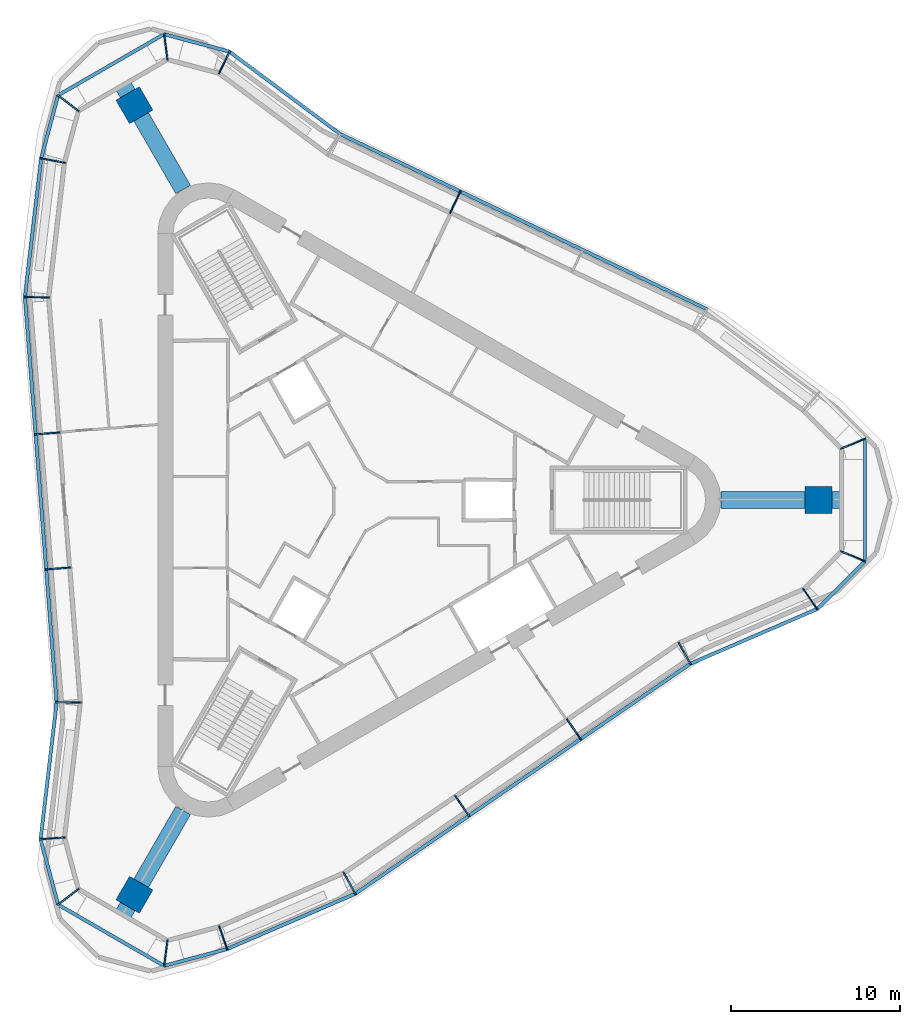
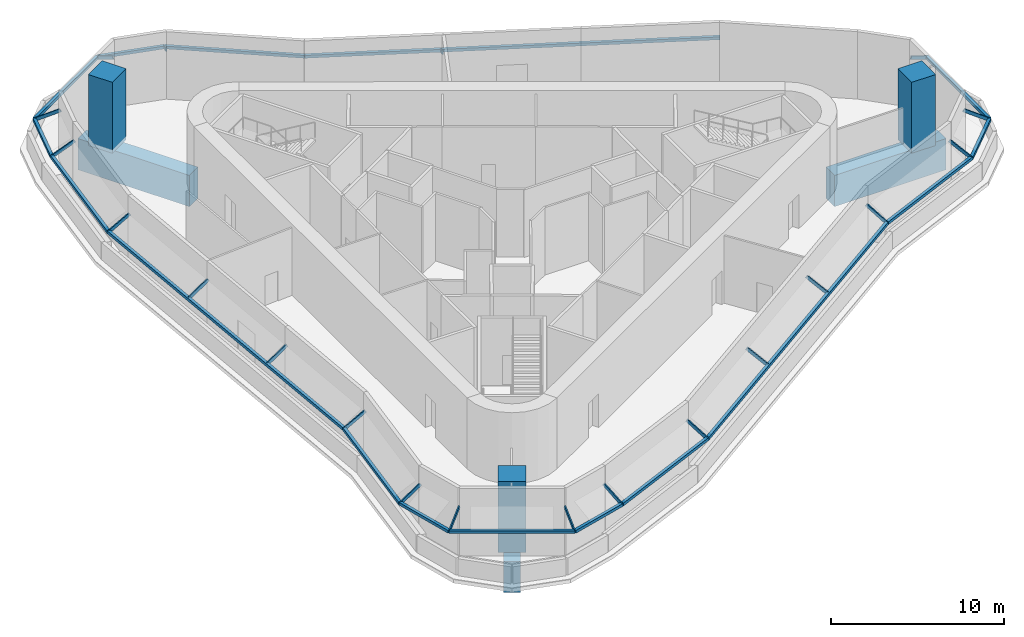
# One storey, part 1 of 8: 36 members, 3 beams, 3 columns, 1 element without a shape of its own.
"""IFC4 building model written with IfcOpenShell, lengths in metres."""

from ifc_helpers import new_model, si_unit, direction, frame, origin, origin_2d, place, context, subcontext, project, spatial, rectangle, extrude, material, material_profile, profile_set, type_object, element, aggregate, save


model = new_model("IFC4")

# Units and contexts
model_context = context("Model", 3, precision=1e-05, world=origin(), true_north=direction((0.0, 1.0)))
body_context = subcontext(model_context, "Body", "Model", "MODEL_VIEW")
ifc_project = project(units=[si_unit("LENGTHUNIT", "METRE"), si_unit("AREAUNIT", "SQUARE_METRE"), si_unit("VOLUMEUNIT", "CUBIC_METRE"), si_unit("PLANEANGLEUNIT", "RADIAN"), si_unit("MASSUNIT", "GRAM", prefix="KILO")], contexts=[model_context])

# Site, building, storey
site_placement = place(None, origin())
site = spatial("IfcSite", under=ifc_project, at=site_placement, CompositionType="ELEMENT")
building_placement = place(site_placement, origin())
building = spatial("IfcBuilding", under=site, at=building_placement, Name="Tanit Gate Tower", CompositionType="ELEMENT")
storey_placement = place(building_placement, frame((0.0, 0.0, 415.300048828125)))
storey = spatial("IfcBuildingStorey", under=building, at=storey_placement, Name="L94", CompositionType="ELEMENT", Elevation=415.300048828125)

# Columns
ifc_material_1 = material(Name="Concrete C40/50", Category="concrete")
ifc_material_profile_1 = material_profile(ifc_material_1, rectangle(XDim=1.60009765625, YDim=1.60009765625, at=origin_2d()), Name="RC 1600x1600")
ifc_profile_set_1 = profile_set([ifc_material_profile_1], Name="Concrete C40/50")
column_type = type_object("IfcColumnType", Name="MEGA COLUMN 1600x1600 C40/50", PredefinedType="COLUMN", material=ifc_profile_set_1)
for number, where, z_axis, x_axis, name in (
    (1, (26.961181640625, 0.0, -0.25), (0.0, 0.0, 1.0), (1.0, 0.0, 0.0), "MEGA COLUMN"),
    (2, (-13.48046875, 23.34912109375, -0.25), (0.0, 0.0, 1.0), (-0.5, 0.866025403784, 0.0), "MEGA COLUMN"),
    (3, (-13.48046875, -23.34912109375, -0.25), (0.0, 0.0, 1.0), (-0.5, -0.866025403784, 0.0), "MEGA COLUMN"),
):
    element("IfcColumn", number, at=place(storey_placement, frame(where, z_axis=z_axis, x_axis=x_axis)), inside=storey, type_object=column_type, Name=name, PredefinedType="COLUMN", context=body_context, shape_type="SweptSolid", body=[
        extrude(rectangle(XDim=1.60009765625, YDim=1.60009765625, at=origin_2d()), origin(), (0.0, 0.0, 1.0), 5.0),
    ])

# Curtain wall, members
ifc_material_2 = material(Name="Aluminium bronze anodised and glass", Category="aluminium")
curtain_wall_type = type_object("IfcCurtainWallType", Name="Curtain wall crown roof", PredefinedType="NOTDEFINED", material=ifc_material_2)
curtain_wall_placement = place(storey_placement, origin())
curtain_wall = element("IfcCurtainWall", 4, at=curtain_wall_placement, inside=storey, type_object=curtain_wall_type, Name="Glass roof L94", PredefinedType="NOTDEFINED")
ifc_material_3 = material(Name="Aluminium bronze anodised", Category="aluminium")
ifc_material_profile_2 = material_profile(ifc_material_3, rectangle(XDim=0.080078125, YDim=0.219970703125, at=origin_2d()), Name="80x220 bronze rafter")
ifc_profile_set_2 = profile_set([ifc_material_profile_2], Name="Aluminium bronze anodised")
member_type_1 = type_object("IfcMemberType", Name="Mullion 80x220 crown roof", PredefinedType="MULLION", material=ifc_profile_set_2)
member_1_placement = place(storey_placement, frame((5.190673828125, 16.9814453125, 3.408203125), z_axis=(0.373331354962, 0.781398232433, -0.500040500113), x_axis=(-0.902305323306, 0.431097556864, 0.0)))
member_1 = element("IfcMember", 5, at=member_1_placement, type_object=member_type_1, Name="Roof rafter L94 NE2.3", PredefinedType="MULLION", context=body_context, shape_type="SweptSolid", body=[
    extrude(rectangle(XDim=0.080078125, YDim=0.219970703125, at=origin_2d()), origin(), (0.0, 0.0, 1.0), 1.616455078125),
])
member_2_placement = place(storey_placement, frame((-8.476806640625, 25.23095703125, 3.408203125), z_axis=(0.379072171607, 0.782879398436, -0.493360047245), x_axis=(-0.900042222367, 0.435802705311, 0.0)))
member_2 = element("IfcMember", 6, at=member_2_placement, type_object=member_type_1, Name="Roof rafter L94 NE3.2", PredefinedType="MULLION", context=body_context, shape_type="SweptSolid", body=[
    extrude(rectangle(XDim=0.080078125, YDim=0.219970703125, at=origin_2d()), origin(), (0.0, 0.0, 1.0), 1.638427734375),
])
member_3_placement = place(storey_placement, frame((-11.527099609375, 26.048095703125, 3.408203125), z_axis=(-0.115139393056, 0.874775092427, -0.470650037541), x_axis=(-0.991448811127, -0.13049618736, 0.0)))
member_3 = element("IfcMember", 7, at=member_3_placement, type_object=member_type_1, Name="Roof rafter L94 NW.arc1.2", PredefinedType="MULLION", context=body_context, shape_type="SweptSolid", body=[
    extrude(rectangle(XDim=0.080078125, YDim=0.219970703125, at=origin_2d()), origin(), (0.0, 0.0, 1.0), 1.717529296875),
])
member_4_placement = place(storey_placement, frame((-16.794921875, 23.0068359375, 3.408203125), z_axis=(-0.69999571717, 0.537080385757, -0.470691677406), x_axis=(-0.608729170029, -0.793378092435, 0.0)))
member_4 = element("IfcMember", 8, at=member_4_placement, type_object=member_type_1, Name="Roof rafter L94 NW.arc2.2", PredefinedType="MULLION", context=body_context, shape_type="SweptSolid", body=[
    extrude(rectangle(XDim=0.080078125, YDim=0.219970703125, at=origin_2d()), origin(), (0.0, 0.0, 1.0), 1.71728515625),
])
member_5_placement = place(storey_placement, frame((-17.61572265625, 19.94287109375, 3.408203125), z_axis=(-0.851124919905, 0.162930058158, -0.499039243812), x_axis=(-0.188015155556, -0.98216612713, 0.0)))
member_5 = element("IfcMember", 9, at=member_5_placement, type_object=member_type_1, Name="Roof rafter L94 NW.arc3.2", PredefinedType="MULLION", context=body_context, shape_type="SweptSolid", body=[
    extrude(rectangle(XDim=0.080078125, YDim=0.219970703125, at=origin_2d()), origin(), (0.0, 0.0, 1.0), 1.619873046875),
])
member_6_placement = place(storey_placement, frame((-18.548828125, 11.97705078125, 3.408203125), z_axis=(-0.866850363127, 0.016704928873, -0.498288463943), x_axis=(-0.019267256073, -0.999814369192, 0.0)))
member_6 = element("IfcMember", 10, at=member_6_placement, type_object=member_type_1, Name="Roof rafter L94 W1.2", PredefinedType="MULLION", context=body_context, shape_type="SweptSolid", body=[
    extrude(rectangle(XDim=0.080078125, YDim=0.219970703125, at=origin_2d()), origin(), (0.0, 0.0, 1.0), 1.622314453125),
])
member_7_placement = place(storey_placement, frame((-17.92529296875, 3.99072265625, 3.408203125), z_axis=(-0.863385119801, -0.067355214873, -0.500029409071), x_axis=(0.077776627829, -0.996970810086, 0.0)))
member_7 = element("IfcMember", 11, at=member_7_placement, type_object=member_type_1, Name="Roof rafter L94 W2.2", PredefinedType="MULLION", context=body_context, shape_type="SweptSolid", body=[
    extrude(rectangle(XDim=0.080078125, YDim=0.219970703125, at=origin_2d()), origin(), (0.0, 0.0, 1.0), 1.61669921875),
])
member_8_placement = place(storey_placement, frame((-17.3017578125, -3.995361328125, 3.408203125), z_axis=(-0.863376327711, -0.0675055481, -0.500024317133), x_axis=(0.077949956455, -0.996957273051, 0.0)))
member_8 = element("IfcMember", 12, at=member_8_placement, type_object=member_type_1, Name="Roof rafter L94 W2.3", PredefinedType="MULLION", context=body_context, shape_type="SweptSolid", body=[
    extrude(rectangle(XDim=0.080078125, YDim=0.219970703125, at=origin_2d()), origin(), (0.0, 0.0, 1.0), 1.61669921875),
])
member_9_placement = place(storey_placement, frame((-16.67822265625, -11.981689453125, 3.408203125), z_axis=(-0.866848174051, 0.016855381162, -0.498287205605), x_axis=(-0.019440769646, -0.999811010379, 0.0)))
member_9 = element("IfcMember", 13, at=member_9_placement, type_object=member_type_1, Name="Roof rafter L94 W2.4", PredefinedType="MULLION", context=body_context, shape_type="SweptSolid", body=[
    extrude(rectangle(XDim=0.080078125, YDim=0.219970703125, at=origin_2d()), origin(), (0.0, 0.0, 1.0), 1.622314453125),
])
member_10_placement = place(storey_placement, frame((-17.612060546875, -19.95654296875, 3.408203125), z_axis=(-0.867561420463, -0.063171224846, -0.493301711), x_axis=(0.072622433472, -0.997359504971, 0.0)))
member_10 = element("IfcMember", 14, at=member_10_placement, type_object=member_type_1, Name="Roof rafter L94 W3.2", PredefinedType="MULLION", context=body_context, shape_type="SweptSolid", body=[
    extrude(rectangle(XDim=0.080078125, YDim=0.219970703125, at=origin_2d()), origin(), (0.0, 0.0, 1.0), 1.638671875),
])
member_11_placement = place(storey_placement, frame((-16.794921875, -23.0068359375, 3.408203125), z_axis=(-0.69999571717, -0.537080385757, -0.470691677406), x_axis=(0.608729170029, -0.793378092435, 0.0)))
member_11 = element("IfcMember", 15, at=member_11_placement, type_object=member_type_1, Name="Roof rafter L94 SW.arc1.2", PredefinedType="MULLION", context=body_context, shape_type="SweptSolid", body=[
    extrude(rectangle(XDim=0.080078125, YDim=0.219970703125, at=origin_2d()), origin(), (0.0, 0.0, 1.0), 1.71728515625),
])
member_12_placement = place(storey_placement, frame((-11.527099609375, -26.048095703125, 3.408203125), z_axis=(-0.115139393056, -0.874775092427, -0.470650037541), x_axis=(0.991448811127, -0.13049618736, 0.0)))
member_12 = element("IfcMember", 16, at=member_12_placement, type_object=member_type_1, Name="Roof rafter L94 SW.arc2.2", PredefinedType="MULLION", context=body_context, shape_type="SweptSolid", body=[
    extrude(rectangle(XDim=0.080078125, YDim=0.219970703125, at=origin_2d()), origin(), (0.0, 0.0, 1.0), 1.717529296875),
])
member_13_placement = place(storey_placement, frame((-8.463134765625, -25.227294921875, 3.408203125), z_axis=(0.284413741675, -0.8185750032, -0.499042871588), x_axis=(0.94460702546, 0.328203545764, 0.0)))
member_13 = element("IfcMember", 17, at=member_13_placement, type_object=member_type_1, Name="Roof rafter L94 SW.arc3.2", PredefinedType="MULLION", context=body_context, shape_type="SweptSolid", body=[
    extrude(rectangle(XDim=0.080078125, YDim=0.219970703125, at=origin_2d()), origin(), (0.0, 0.0, 1.0), 1.619873046875),
])
member_14_placement = place(storey_placement, frame((-1.097900390625, -22.05224609375, 3.408203125), z_axis=(0.418840916903, -0.759120943177, -0.498304806276), x_axis=(0.875570088522, 0.483091109508, 0.0)))
member_14 = element("IfcMember", 18, at=member_14_placement, type_object=member_type_1, Name="Roof rafter L94 SE1.2", PredefinedType="MULLION", context=body_context, shape_type="SweptSolid", body=[
    extrude(rectangle(XDim=0.080078125, YDim=0.219970703125, at=origin_2d()), origin(), (0.0, 0.0, 1.0), 1.622314453125),
])
member_15_placement = place(storey_placement, frame((5.506591796875, -17.51904296875, 3.408203125), z_axis=(0.490056434696, -0.714017511015, -0.500023684216), x_axis=(0.824489423049, 0.56587736417, 0.0)))
member_15 = element("IfcMember", 19, at=member_15_placement, type_object=member_type_1, Name="Roof rafter L94 SE2.2", PredefinedType="MULLION", context=body_context, shape_type="SweptSolid", body=[
    extrude(rectangle(XDim=0.080078125, YDim=0.219970703125, at=origin_2d()), origin(), (0.0, 0.0, 1.0), 1.61669921875),
])
member_16_placement = place(storey_placement, frame((12.111083984375, -12.986083984375, 3.408203125), z_axis=(0.49010928052, -0.713943472732, -0.500077604869), x_axis=(0.824433570123, 0.56595873388, 0.0)))
member_16 = element("IfcMember", 20, at=member_16_placement, type_object=member_type_1, Name="Roof rafter L94 SE2.3", PredefinedType="MULLION", context=body_context, shape_type="SweptSolid", body=[
    extrude(rectangle(XDim=0.080078125, YDim=0.219970703125, at=origin_2d()), origin(), (0.0, 0.0, 1.0), 1.616455078125),
])
member_17_placement = place(storey_placement, frame((18.715576171875, -8.452880859375, 3.408203125), z_axis=(0.418840916903, -0.759120943177, -0.498304806276), x_axis=(0.875570088522, 0.483091109508, 0.0)))
member_17 = element("IfcMember", 21, at=member_17_placement, type_object=member_type_1, Name="Roof rafter L94 SE2.4", PredefinedType="MULLION", context=body_context, shape_type="SweptSolid", body=[
    extrude(rectangle(XDim=0.080078125, YDim=0.219970703125, at=origin_2d()), origin(), (0.0, 0.0, 1.0), 1.622314453125),
])
member_18_placement = place(storey_placement, frame((26.089111328125, -5.274169921875, 3.408203125), z_axis=(0.488402754437, -0.719790636573, -0.49331956069), x_axis=(0.827489985755, 0.561480474706, 0.0)))
member_18 = element("IfcMember", 22, at=member_18_placement, type_object=member_type_1, Name="Roof rafter L94 SE3.2", PredefinedType="MULLION", context=body_context, shape_type="SweptSolid", body=[
    extrude(rectangle(XDim=0.080078125, YDim=0.219970703125, at=origin_2d()), origin(), (0.0, 0.0, 1.0), 1.638671875),
])
member_19_placement = place(storey_placement, frame((28.322021484375, -3.041259765625, 3.408203125), z_axis=(0.815103523011, -0.33775479084, -0.470667555754), x_axis=(0.382807118554, 0.923828290314, 0.0)))
member_19 = element("IfcMember", 23, at=member_19_placement, type_object=member_type_1, Name="Roof rafter L94 E.arc1.2", PredefinedType="MULLION", context=body_context, shape_type="SweptSolid", body=[
    extrude(rectangle(XDim=0.080078125, YDim=0.219970703125, at=origin_2d()), origin(), (0.0, 0.0, 1.0), 1.717529296875),
])
member_20_placement = place(storey_placement, frame((28.322021484375, 3.041259765625, 3.408203125), z_axis=(0.815103523011, 0.33775479084, -0.470667555754), x_axis=(-0.382807118554, 0.923828290314, 0.0)))
member_20 = element("IfcMember", 24, at=member_20_placement, type_object=member_type_1, Name="Roof rafter L94 E.arc2.2", PredefinedType="MULLION", context=body_context, shape_type="SweptSolid", body=[
    extrude(rectangle(XDim=0.080078125, YDim=0.219970703125, at=origin_2d()), origin(), (0.0, 0.0, 1.0), 1.717529296875),
])

# Beams
ifc_material_4 = material(Name="Concrete C60/75", Category="concrete")
ifc_material_profile_3 = material_profile(ifc_material_4, rectangle(XDim=1.0, YDim=2.199951171875, at=origin_2d()), Name="RC 1000x2200")
ifc_profile_set_3 = profile_set([ifc_material_profile_3], Name="Concrete C60/75")
beam_type = type_object("IfcBeamType", Name="TRANSFER GIRDER 1000x2200 C60/75", PredefinedType="USERDEFINED", material=ifc_profile_set_3)
for number, where, z_axis, x_axis, name in (
    (25, (-14.318115234375, -24.799560546875, -1.35009765625), (0.500006734102, 0.866021515814, 0.0), (-0.866021515814, 0.500006734102, 0.0), "TRANSFER GIRDER"),
    (26, (28.635986328125, 0.0, -1.35009765625), (-1.0, 0.0, 0.0), (0.0, -1.0, 0.0), "TRANSFER GIRDER"),
    (27, (-14.318115234375, 24.799560546875, -1.35009765625), (0.500006734102, -0.866021515814, 0.0), (0.866021515814, 0.500006734102, 0.0), "TRANSFER GIRDER"),
):
    element("IfcBeam", number, at=place(storey_placement, frame(where, z_axis=z_axis, x_axis=x_axis)), inside=storey, type_object=beam_type, Name=name, ObjectType="GIRDER", PredefinedType="USERDEFINED", context=body_context, shape_type="SweptSolid", body=[
        extrude(rectangle(XDim=1.0, YDim=2.199951171875, at=origin_2d()), origin(), (0.0, 0.0, 1.0), 7.43408203125),
    ])

# Member
ifc_material_5 = material(Name="Aluminium bronze anodised", Category="aluminium")
ifc_material_profile_4 = material_profile(ifc_material_5, rectangle(XDim=0.199951171875, YDim=0.199951171875, at=origin_2d()), Name="200x200 bronze transom")
ifc_profile_set_4 = profile_set([ifc_material_profile_4], Name="Aluminium bronze anodised")
member_type_2 = type_object("IfcMemberType", Name="Transom 200x200 crown roof", PredefinedType="USERDEFINED", material=ifc_profile_set_4)
member_21_placement = place(storey_placement, frame((20.37353515625, 11.279541015625, 2.626953125), z_axis=(-0.902316724498, 0.431073692877, 0.0), x_axis=(-0.431073692877, -0.902316724498, 0.0)))
member_21 = element("IfcMember", 28, at=member_21_placement, type_object=member_type_2, Name="Eave beam L94 NE2", ObjectType="TRANSOM", PredefinedType="USERDEFINED", context=body_context, shape_type="SweptSolid", body=[
    extrude(rectangle(XDim=0.199951171875, YDim=0.199951171875, at=origin_2d()), origin(), (0.0, 0.0, 1.0), 24.031494140625),
])

member_22_placement = place(storey_placement, frame((-1.310546875, 21.638916015625, 2.626953125), z_axis=(-0.802002251365, 0.597321009848, 0.0), x_axis=(-0.597321009848, -0.802002251365, 0.0)))
member_22 = element("IfcMember", 29, at=member_22_placement, type_object=member_type_2, Name="Eave beam L94 NE3", ObjectType="TRANSOM", PredefinedType="USERDEFINED", context=body_context, shape_type="SweptSolid", body=[
    extrude(rectangle(XDim=0.199951171875, YDim=0.199951171875, at=origin_2d()), origin(), (0.0, 0.0, 1.0), 8.1611328125),
])

member_23_placement = place(storey_placement, frame((-7.855712890625, 26.513671875, 2.626953125), z_axis=(-0.965917579443, 0.258849820791, 0.0), x_axis=(-0.258849820791, -0.965917579443, 0.0)))
member_23 = element("IfcMember", 30, at=member_23_placement, type_object=member_type_2, Name="Eave beam L94 NW.arc1", ObjectType="TRANSOM", PredefinedType="USERDEFINED", context=body_context, shape_type="SweptSolid", body=[
    extrude(rectangle(XDim=0.199951171875, YDim=0.199951171875, at=origin_2d()), origin(), (0.0, 0.0, 1.0), 4.005615234375),
])

member_24_placement = place(storey_placement, frame((-11.724853515625, 27.550537109375, 2.626953125), z_axis=(-0.866021108968, -0.500007438766, 0.0), x_axis=(0.500007438766, -0.866021108968, 0.0)))
member_24 = element("IfcMember", 31, at=member_24_placement, type_object=member_type_2, Name="Eave beam L94 NW.arc2", ObjectType="TRANSOM", PredefinedType="USERDEFINED", context=body_context, shape_type="SweptSolid", body=[
    extrude(rectangle(XDim=0.199951171875, YDim=0.199951171875, at=origin_2d()), origin(), (0.0, 0.0, 1.0), 7.24267578125),
])

member_25_placement = place(storey_placement, frame((-17.9970703125, 23.92919921875, 2.626953125), z_axis=(-0.258794140419, -0.965932499135, 0.0), x_axis=(0.965932499135, -0.258794140419, 0.0)))
member_25 = element("IfcMember", 32, at=member_25_placement, type_object=member_type_2, Name="Eave beam L94 NW.arc3", ObjectType="TRANSOM", PredefinedType="USERDEFINED", context=body_context, shape_type="SweptSolid", body=[
    extrude(rectangle(XDim=0.199951171875, YDim=0.199951171875, at=origin_2d()), origin(), (0.0, 0.0, 1.0), 3.853759765625),
])

member_26_placement = place(storey_placement, frame((-18.994384765625, 20.206787109375, 2.626953125), z_axis=(-0.116324962859, -0.993211207657, 0.0), x_axis=(0.993211207657, -0.116324962859, 0.0)))
member_26 = element("IfcMember", 33, at=member_26_placement, type_object=member_type_2, Name="Eave beam L94 W1", ObjectType="TRANSOM", PredefinedType="USERDEFINED", context=body_context, shape_type="SweptSolid", body=[
    extrude(rectangle(XDim=0.199951171875, YDim=0.199951171875, at=origin_2d()), origin(), (0.0, 0.0, 1.0), 8.2587890625),
])

member_27_placement = place(storey_placement, frame((-19.955078125, 12.004150390625, 2.626953125), z_axis=(0.077840019159, -0.996965862714, 0.0), x_axis=(0.996965862714, 0.077840019159, 0.0)))
member_27 = element("IfcMember", 34, at=member_27_placement, type_object=member_type_2, Name="Eave beam L94 W2", ObjectType="TRANSOM", PredefinedType="USERDEFINED", context=body_context, shape_type="SweptSolid", body=[
    extrude(rectangle(XDim=0.199951171875, YDim=0.199951171875, at=origin_2d()), origin(), (0.0, 0.0, 1.0), 24.031494140625),
])

member_28_placement = place(storey_placement, frame((-18.08447265625, -11.954345703125, 2.626953125), z_axis=(-0.116310109295, -0.993212947195, 0.0), x_axis=(0.993212947195, -0.116310109295, 0.0)))
member_28 = element("IfcMember", 35, at=member_28_placement, type_object=member_type_2, Name="Eave beam L94 W3", ObjectType="TRANSOM", PredefinedType="USERDEFINED", context=body_context, shape_type="SweptSolid", body=[
    extrude(rectangle(XDim=0.199951171875, YDim=0.199951171875, at=origin_2d()), origin(), (0.0, 0.0, 1.0), 8.1611328125),
])

member_29_placement = place(storey_placement, frame((-19.03369140625, -20.06005859375, 2.626953125), z_axis=(0.258792954353, -0.965932816907, 0.0), x_axis=(0.965932816907, 0.258792954353, 0.0)))
member_29 = element("IfcMember", 36, at=member_29_placement, type_object=member_type_2, Name="Eave beam L94 SW.arc1", ObjectType="TRANSOM", PredefinedType="USERDEFINED", context=body_context, shape_type="SweptSolid", body=[
    extrude(rectangle(XDim=0.199951171875, YDim=0.199951171875, at=origin_2d()), origin(), (0.0, 0.0, 1.0), 4.005615234375),
])

member_30_placement = place(storey_placement, frame((-17.9970703125, -23.92919921875, 2.626953125), z_axis=(0.866021108968, -0.500007438766, 0.0), x_axis=(0.500007438766, 0.866021108968, 0.0)))
member_30 = element("IfcMember", 37, at=member_30_placement, type_object=member_type_2, Name="Eave beam L94 SW.arc2", ObjectType="TRANSOM", PredefinedType="USERDEFINED", context=body_context, shape_type="SweptSolid", body=[
    extrude(rectangle(XDim=0.199951171875, YDim=0.199951171875, at=origin_2d()), origin(), (0.0, 0.0, 1.0), 7.24267578125),
])

member_31_placement = place(storey_placement, frame((-11.724853515625, -27.550537109375, 2.626953125), z_axis=(0.965932499135, 0.258794140419, 0.0), x_axis=(-0.258794140419, 0.965932499135, 0.0)))
member_31 = element("IfcMember", 38, at=member_31_placement, type_object=member_type_2, Name="Eave beam L94 SW.arc3", ObjectType="TRANSOM", PredefinedType="USERDEFINED", context=body_context, shape_type="SweptSolid", body=[
    extrude(rectangle(XDim=0.199951171875, YDim=0.199951171875, at=origin_2d()), origin(), (0.0, 0.0, 1.0), 3.853759765625),
])

member_32_placement = place(storey_placement, frame((-8.00244140625, -26.55322265625, 2.626953125), z_axis=(0.918298887928, 0.395887802831, 0.0), x_axis=(-0.395887802831, 0.918298887928, 0.0)))
member_32 = element("IfcMember", 39, at=member_32_placement, type_object=member_type_2, Name="Eave beam L94 SE1", ObjectType="TRANSOM", PredefinedType="USERDEFINED", context=body_context, shape_type="SweptSolid", body=[
    extrude(rectangle(XDim=0.199951171875, YDim=0.199951171875, at=origin_2d()), origin(), (0.0, 0.0, 1.0), 8.2587890625),
])

member_33_placement = place(storey_placement, frame((-0.41845703125, -23.28369140625, 2.626953125), z_axis=(0.824476827337, 0.565895715821, 0.0), x_axis=(-0.565895715821, 0.824476827337, 0.0)))
member_33 = element("IfcMember", 40, at=member_33_placement, type_object=member_type_2, Name="Eave beam L94 SE2", ObjectType="TRANSOM", PredefinedType="USERDEFINED", context=body_context, shape_type="SweptSolid", body=[
    extrude(rectangle(XDim=0.199951171875, YDim=0.199951171875, at=origin_2d()), origin(), (0.0, 0.0, 1.0), 24.031494140625),
])

member_34_placement = place(storey_placement, frame((19.39501953125, -9.684326171875, 2.626953125), z_axis=(0.918307399324, 0.395868059265, 0.0), x_axis=(-0.395868059265, 0.918307399324, 0.0)))
member_34 = element("IfcMember", 41, at=member_34_placement, type_object=member_type_2, Name="Eave beam L94 SE3", ObjectType="TRANSOM", PredefinedType="USERDEFINED", context=body_context, shape_type="SweptSolid", body=[
    extrude(rectangle(XDim=0.199951171875, YDim=0.199951171875, at=origin_2d()), origin(), (0.0, 0.0, 1.0), 8.1611328125),
])

member_35_placement = place(storey_placement, frame((26.889404296875, -6.45361328125, 2.626953125), z_axis=(0.70713725533, 0.70707630573, 0.0), x_axis=(-0.70707630573, 0.70713725533, 0.0)))
member_35 = element("IfcMember", 42, at=member_35_placement, type_object=member_type_2, Name="Eave beam L94 E.arc1", ObjectType="TRANSOM", PredefinedType="USERDEFINED", context=body_context, shape_type="SweptSolid", body=[
    extrude(rectangle(XDim=0.199951171875, YDim=0.199951171875, at=origin_2d()), origin(), (0.0, 0.0, 1.0), 4.005615234375),
])

member_36_placement = place(storey_placement, frame((29.721923828125, -3.621337890625, 2.626953125), z_axis=(0.0, 1.0, 0.0), x_axis=(-1.0, 0.0, 0.0)))
member_36 = element("IfcMember", 43, at=member_36_placement, type_object=member_type_2, Name="Eave beam L94 E.arc2", ObjectType="TRANSOM", PredefinedType="USERDEFINED", context=body_context, shape_type="SweptSolid", body=[
    extrude(rectangle(XDim=0.199951171875, YDim=0.199951171875, at=origin_2d()), origin(), (0.0, 0.0, 1.0), 7.24267578125),
])

aggregate(curtain_wall, [member_1, member_21, member_2, member_22, member_3, member_23, member_4, member_24, member_5, member_25, member_6, member_26, member_7, member_8, member_9, member_27, member_10, member_28, member_11, member_29, member_12, member_30, member_13, member_31, member_14, member_32, member_15, member_16, member_17, member_33, member_18, member_34, member_19, member_35, member_20, member_36])

save(model, "model.ifc")
